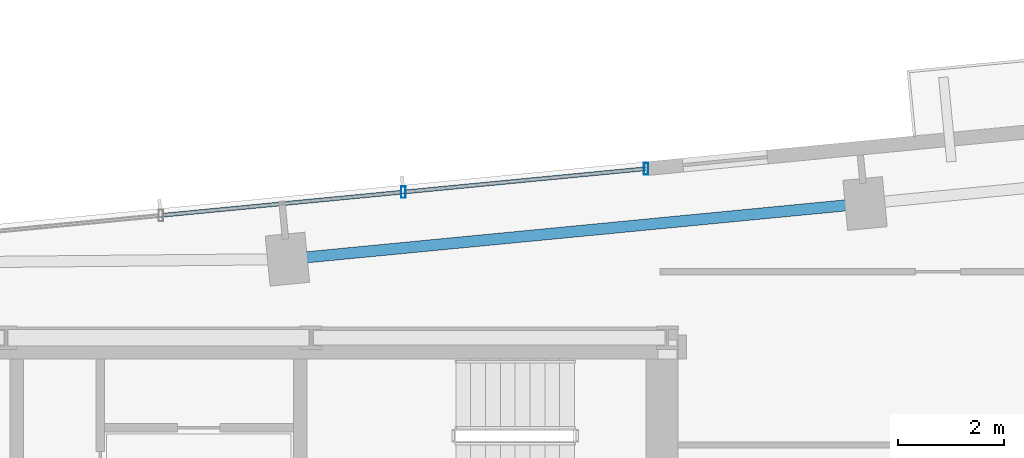
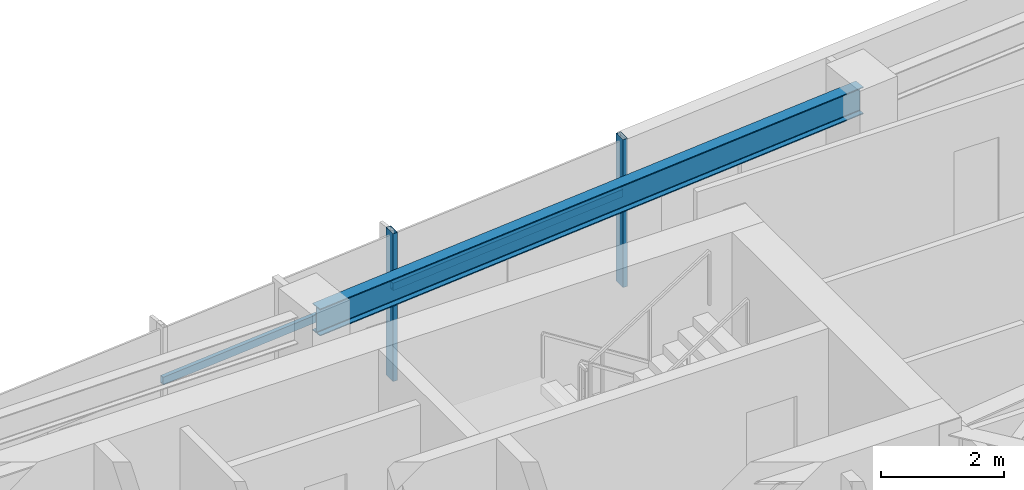
# One storey, part 7 of 18: 4 members, 1 beam, 1 element without a shape of its own.
"""IFC4 building model written with IfcOpenShell, lengths in metres."""

from ifc_helpers import new_model, si_unit, direction, frame, origin, origin_2d, place, context, subcontext, project, spatial, hollow_rectangle, i_section, extrude, source, transform, mapped, material, material_profile, profile_set, type_object, type_shapes, element, aggregate, save


model = new_model("IFC4")

# Units and contexts
model_context = context("Model", 3, precision=1e-05, world=origin(), true_north=direction((0.0, 1.0)))
body_context = subcontext(model_context, "Body", "Model", "MODEL_VIEW")
ifc_project = project(units=[si_unit("LENGTHUNIT", "METRE"), si_unit("AREAUNIT", "SQUARE_METRE"), si_unit("VOLUMEUNIT", "CUBIC_METRE"), si_unit("PLANEANGLEUNIT", "RADIAN"), si_unit("MASSUNIT", "GRAM", prefix="KILO")], contexts=[model_context])

# Site, building, storey
site_placement = place(None, origin())
site = spatial("IfcSite", under=ifc_project, at=site_placement, CompositionType="ELEMENT")
building_placement = place(site_placement, origin())
building = spatial("IfcBuilding", under=site, at=building_placement, Name="Astriad Promenade Condominiums", CompositionType="ELEMENT")
storey_placement = place(building_placement, frame((0.0, 0.0, 173.0)))
storey = spatial("IfcBuildingStorey", under=building, at=storey_placement, Name="L49", CompositionType="ELEMENT", Elevation=173.0)

# Beam
ifc_material_1 = material(Name="Steel ASTM A992 Grade 50", Category="steel")
ifc_material_profile_1 = material_profile(ifc_material_1, i_section(OverallWidth=0.210693359375, OverallDepth=0.53955078125, WebThickness=0.01171875, FlangeThickness=0.018798828125, FilletRadius=0.0166015625, at=origin_2d()), Name="W21X73")
ifc_profile_set_1 = profile_set([ifc_material_profile_1], Name="Steel ASTM A992 Grade 50")
beam_type = type_object("IfcBeamType", Name="STEEL SPANDREL BEAM W21X73", PredefinedType="SPANDREL", material=ifc_profile_set_1)
shared_shape_1 = source(origin(), body_context, "Body", "SweptSolid", [
    extrude(i_section(OverallWidth=0.210693359375, OverallDepth=0.53955078125, WebThickness=0.01171875, FlangeThickness=0.018798828125, FilletRadius=0.0166015625, at=origin_2d()), origin(), (0.0, 0.0, 1.0), 10.869873046875),
])
type_shapes(beam_type, [shared_shape_1])
beam_placement = place(storey_placement, frame((49.291015625, 26.52880859375, 2.67041015625), z_axis=(-0.995394779798, -0.09586048378, 0.0), x_axis=(0.09586048378, -0.995394779798, 0.0)))
element("IfcBeam", 1, at=beam_placement, inside=storey, type_object=beam_type, Name="Perimeter Spandrel Beam SP-N3-L49", PredefinedType="SPANDREL", context=body_context, shape_type="MappedRepresentation", body=[
    mapped(shared_shape_1, transform((0.0, 0.0, 0.0), scale=1.0)),
])

# Curtain wall, members
ifc_material_2 = material(Name="Anodised aluminium Black Dark Glass Unitised", Category="aluminium")
curtain_wall_type = type_object("IfcCurtainWallType", Name="CW-B34-DARK", PredefinedType="USERDEFINED", material=ifc_material_2)
curtain_wall_placement = place(storey_placement, origin())
curtain_wall = element("IfcCurtainWall", 2, at=curtain_wall_placement, inside=storey, type_object=curtain_wall_type, Name="CW-L49-N", ObjectType="UNITISED_CURTAIN_WALL", PredefinedType="USERDEFINED")
ifc_material_3 = material(Name="Anodised aluminium 6063-T6 Black", Category="aluminium")
ifc_material_profile_2 = material_profile(ifc_material_3, hollow_rectangle(XDim=0.0849609375, YDim=0.219970703125, WallThickness=0.0048828125, at=origin_2d()), Name="ALU-MUL-85X220")
ifc_profile_set_2 = profile_set([ifc_material_profile_2], Name="Anodised aluminium 6063-T6 Black")
member_type_1 = type_object("IfcMemberType", Name="MUL-ALU-MUL-85X220", PredefinedType="MULLION", material=ifc_profile_set_2)
shared_shape_2 = source(origin(), body_context, "Body", "SweptSolid", [
    extrude(hollow_rectangle(XDim=0.0849609375, YDim=0.219970703125, WallThickness=0.0048828125, at=origin_2d()), origin(), (0.0, 0.0, 1.0), 2.93994140625),
])
type_shapes(member_type_1, [shared_shape_2])
member_1_placement = place(storey_placement, frame((40.6201171875, 26.748779296875, 0.0), z_axis=(0.0, 0.0, 1.0), x_axis=(1.0, 0.0, 0.0)))
member_1 = element("IfcMember", 3, at=member_1_placement, type_object=member_type_1, Name="CW-L49-N-MUL-02", PredefinedType="MULLION", context=body_context, shape_type="MappedRepresentation", body=[
    mapped(shared_shape_2, transform((0.0, 0.0, 0.0), scale=1.0)),
])
member_2_placement = place(storey_placement, frame((45.198974609375, 27.189697265625, 0.0), z_axis=(0.0, 0.0, 1.0), x_axis=(1.0, 0.0, 0.0)))
member_2 = element("IfcMember", 4, at=member_2_placement, type_object=member_type_1, Name="CW-L49-N-MUL-03", PredefinedType="MULLION", context=body_context, shape_type="MappedRepresentation", body=[
    mapped(shared_shape_2, transform((0.0, 0.0, 0.0), scale=1.0)),
])
ifc_material_profile_3 = material_profile(ifc_material_3, hollow_rectangle(XDim=0.074951171875, YDim=0.14990234375, WallThickness=0.004150390625, at=origin_2d()), Name="ALU-TRN-75X150")
ifc_profile_set_3 = profile_set([ifc_material_profile_3], Name="Anodised aluminium 6063-T6 Black")
member_type_2 = type_object("IfcMemberType", Name="TRN-ALU-TRN-75X150", PredefinedType="USERDEFINED", material=ifc_profile_set_3)
shared_shape_3 = source(origin(), body_context, "Body", "SweptSolid", [
    extrude(hollow_rectangle(XDim=0.074951171875, YDim=0.14990234375, WallThickness=0.004150390625, at=origin_2d()), origin(), (0.0, 0.0, 1.0), 4.60009765625),
])
type_shapes(member_type_2, [shared_shape_3])
member_3_placement = place(storey_placement, frame((36.041259765625, 26.307861328125, 1.82275390625), z_axis=(0.995395697572, 0.095850953336, 0.0), x_axis=(-0.095850953336, 0.995395697572, 0.0)))
member_3 = element("IfcMember", 5, at=member_3_placement, type_object=member_type_2, Name="CW-L49-N-TRN-01-0", ObjectType="TRANSOM", PredefinedType="USERDEFINED", context=body_context, shape_type="MappedRepresentation", body=[
    mapped(shared_shape_3, transform((0.0, 0.0, 0.0), scale=1.0)),
])
member_4_placement = place(storey_placement, frame((40.6201171875, 26.748779296875, 1.82275390625), z_axis=(0.995395697572, 0.095850953336, 0.0), x_axis=(-0.095850953336, 0.995395697572, 0.0)))
member_4 = element("IfcMember", 6, at=member_4_placement, type_object=member_type_2, Name="CW-L49-N-TRN-02-0", ObjectType="TRANSOM", PredefinedType="USERDEFINED", context=body_context, shape_type="MappedRepresentation", body=[
    mapped(shared_shape_3, transform((0.0, 0.0, 0.0), scale=1.0)),
])
aggregate(curtain_wall, [member_1, member_2, member_3, member_4])

save(model, "model.ifc")
